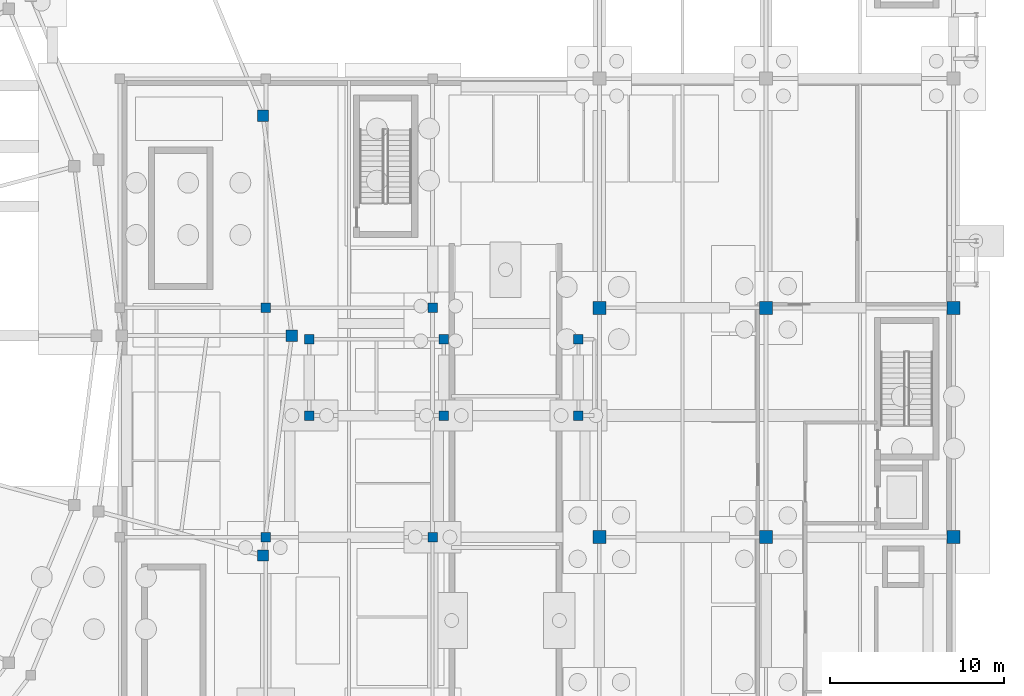
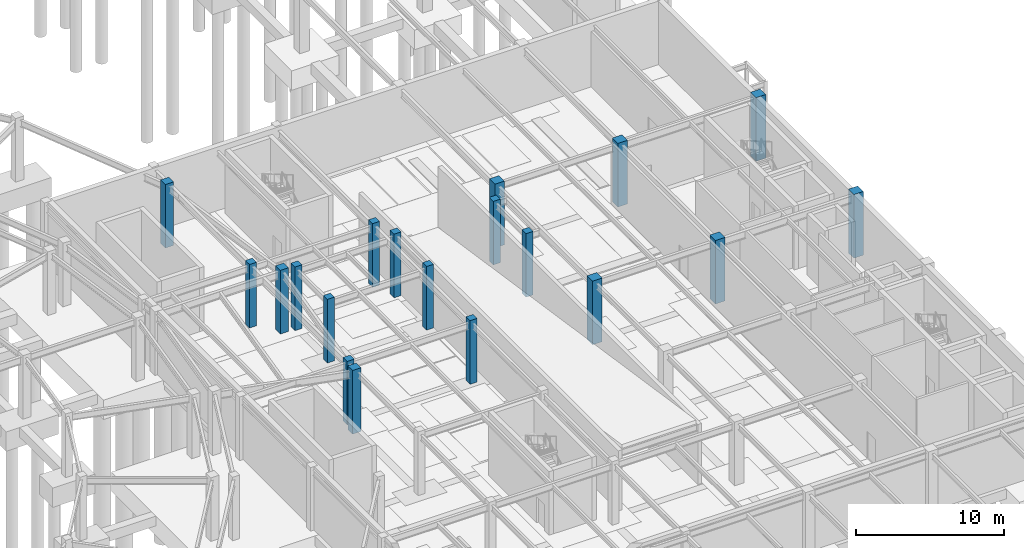
# One storey, part 32 of 55: 19 columns.
"""IFC4 building model written with IfcOpenShell, lengths in metres."""

from ifc_helpers import new_model, si_unit, direction, frame, origin, origin_2d, place, context, subcontext, project, spatial, rectangle, extrude, material, material_profile, profile_set, type_object, element, save


model = new_model("IFC4")

# Units and contexts
model_context = context("Model", 3, precision=1e-05, world=origin(), true_north=direction((0.0, 1.0)))
body_context = subcontext(model_context, "Body", "Model", "MODEL_VIEW")
ifc_project = project(units=[si_unit("LENGTHUNIT", "METRE"), si_unit("AREAUNIT", "SQUARE_METRE"), si_unit("VOLUMEUNIT", "CUBIC_METRE"), si_unit("PLANEANGLEUNIT", "RADIAN"), si_unit("MASSUNIT", "GRAM", prefix="KILO")], contexts=[model_context])

# Site, building, storey
site_placement = place(None, origin())
site = spatial("IfcSite", under=ifc_project, at=site_placement, CompositionType="ELEMENT")
building_placement = place(site_placement, origin())
building = spatial("IfcBuilding", under=site, at=building_placement, Name="Almandine Court Research Institute", CompositionType="ELEMENT")
storey_placement = place(building_placement, frame((0.0, 0.0, -5.25)))
storey = spatial("IfcBuildingStorey", under=building, at=storey_placement, Name="B1", CompositionType="ELEMENT", Elevation=-5.25)

# Columns
ifc_material = material(Name="Concrete C40/50", Category="concrete")
ifc_material_profile_1 = material_profile(ifc_material, rectangle(XDim=0.75, YDim=0.75, at=origin_2d()), Name="RC 750x750")
ifc_profile_set_1 = profile_set([ifc_material_profile_1], Name="Concrete C40/50")
column_type_1 = type_object("IfcColumnType", Name="Col-C-RC1", PredefinedType="COLUMN", material=ifc_profile_set_1)
for number, where, z_axis, x_axis, name in (
    (1, (153.60009765625, 44.39990234375, 0.0), (0.0, 0.0, 1.0), (1.0, 0.0, 0.0), "B1 V4 Column V4-X2Y5"),
    (2, (153.60009765625, 57.60009765625, 0.0), (0.0, 0.0, 1.0), (1.0, 0.0, 0.0), "B1 V4 Column V4-X2Y6"),
    (3, (163.199951171875, 44.39990234375, 0.0), (0.0, 0.0, 1.0), (1.0, 0.0, 0.0), "B1 V4 Column V4-X3Y5"),
    (4, (163.199951171875, 57.60009765625, 0.0), (0.0, 0.0, 1.0), (1.0, 0.0, 0.0), "B1 V4 Column V4-X3Y6"),
    (5, (174.0, 44.39990234375, 0.0), (0.0, 0.0, 1.0), (1.0, 0.0, 0.0), "B1 V4 Column V4-X4Y5"),
    (6, (174.0, 57.60009765625, 0.0), (0.0, 0.0, 1.0), (1.0, 0.0, 0.0), "B1 V4 Column V4-X4Y6"),
):
    element("IfcColumn", number, at=place(storey_placement, frame(where, z_axis=z_axis, x_axis=x_axis)), inside=storey, type_object=column_type_1, Name=name, PredefinedType="COLUMN", context=body_context, shape_type="SweptSolid", body=[
        extrude(rectangle(XDim=0.75, YDim=0.75, at=origin_2d()), origin(), (0.0, 0.0, 1.0), 5.25),
    ])
ifc_material_profile_2 = material_profile(ifc_material, rectangle(XDim=0.64990234375, YDim=0.64990234375, at=origin_2d()), Name="RC 650x650")
ifc_profile_set_2 = profile_set([ifc_material_profile_2], Name="Concrete C40/50")
column_type_2 = type_object("IfcColumnType", Name="Col-C-RC2", PredefinedType="COLUMN", material=ifc_profile_set_2)
for number, where, z_axis, x_axis, name in (
    (7, (135.89990234375, 56.0, 0.0), (0.0, 0.0, 1.0), (1.0, 0.0, 0.0), "B1 V5 Column V5-OUT-S00"),
    (8, (134.23388671875, 68.656005859375, 0.0), (0.0, 0.0, 1.0), (1.0, 0.0, 0.0), "B1 V5 Column V5-OUT-S01"),
    (9, (134.23388671875, 43.343994140625, 0.0), (0.0, 0.0, 1.0), (1.0, 0.0, 0.0), "B1 V5 Column V5-OUT-S23"),
):
    element("IfcColumn", number, at=place(storey_placement, frame(where, z_axis=z_axis, x_axis=x_axis)), inside=storey, type_object=column_type_2, Name=name, PredefinedType="COLUMN", context=body_context, shape_type="SweptSolid", body=[
        extrude(rectangle(XDim=0.64990234375, YDim=0.64990234375, at=origin_2d()), origin(), (0.0, 0.0, 1.0), 5.25),
    ])
ifc_material_profile_3 = material_profile(ifc_material, rectangle(XDim=0.550048828125, YDim=0.550048828125, at=origin_2d()), Name="RC 550x550")
ifc_profile_set_3 = profile_set([ifc_material_profile_3], Name="Concrete C40/50")
column_type_3 = type_object("IfcColumnType", Name="Col-C-RC3", PredefinedType="COLUMN", material=ifc_profile_set_3)
for number, where, z_axis, x_axis, name in (
    (10, (134.39990234375, 44.39990234375, 0.0), (0.0, 0.0, 1.0), (1.0, 0.0, 0.0), "B1 B1G Column B1G-X2Y4"),
    (11, (134.39990234375, 57.60009765625, 0.0), (0.0, 0.0, 1.0), (1.0, 0.0, 0.0), "B1 B1G Column B1G-X2Y5"),
    (12, (144.0, 44.39990234375, 0.0), (0.0, 0.0, 1.0), (1.0, 0.0, 0.0), "B1 B1G Column B1G-X3Y4"),
    (13, (144.0, 57.60009765625, 0.0), (0.0, 0.0, 1.0), (1.0, 0.0, 0.0), "B1 B1G Column B1G-X3Y5"),
    (14, (136.89990234375, 51.39990234375, 0.0), (0.0, 0.0, 1.0), (1.0, 0.0, 0.0), "B1 DAL-E Column DAL-E-X1Y1"),
    (15, (136.89990234375, 55.800048828125, 0.0), (0.0, 0.0, 1.0), (1.0, 0.0, 0.0), "B1 DAL-E Column DAL-E-X1Y2"),
    (16, (144.64990234375, 51.39990234375, 0.0), (0.0, 0.0, 1.0), (1.0, 0.0, 0.0), "B1 DAL-E Column DAL-E-X2Y1"),
    (17, (144.64990234375, 55.800048828125, 0.0), (0.0, 0.0, 1.0), (1.0, 0.0, 0.0), "B1 DAL-E Column DAL-E-X2Y2"),
    (18, (152.39990234375, 51.39990234375, 0.0), (0.0, 0.0, 1.0), (1.0, 0.0, 0.0), "B1 DAL-E Column DAL-E-X3Y1"),
    (19, (152.39990234375, 55.800048828125, 0.0), (0.0, 0.0, 1.0), (1.0, 0.0, 0.0), "B1 DAL-E Column DAL-E-X3Y2"),
):
    element("IfcColumn", number, at=place(storey_placement, frame(where, z_axis=z_axis, x_axis=x_axis)), inside=storey, type_object=column_type_3, Name=name, PredefinedType="COLUMN", context=body_context, shape_type="SweptSolid", body=[
        extrude(rectangle(XDim=0.550048828125, YDim=0.550048828125, at=origin_2d()), origin(), (0.0, 0.0, 1.0), 5.25),
    ])

save(model, "model.ifc")
